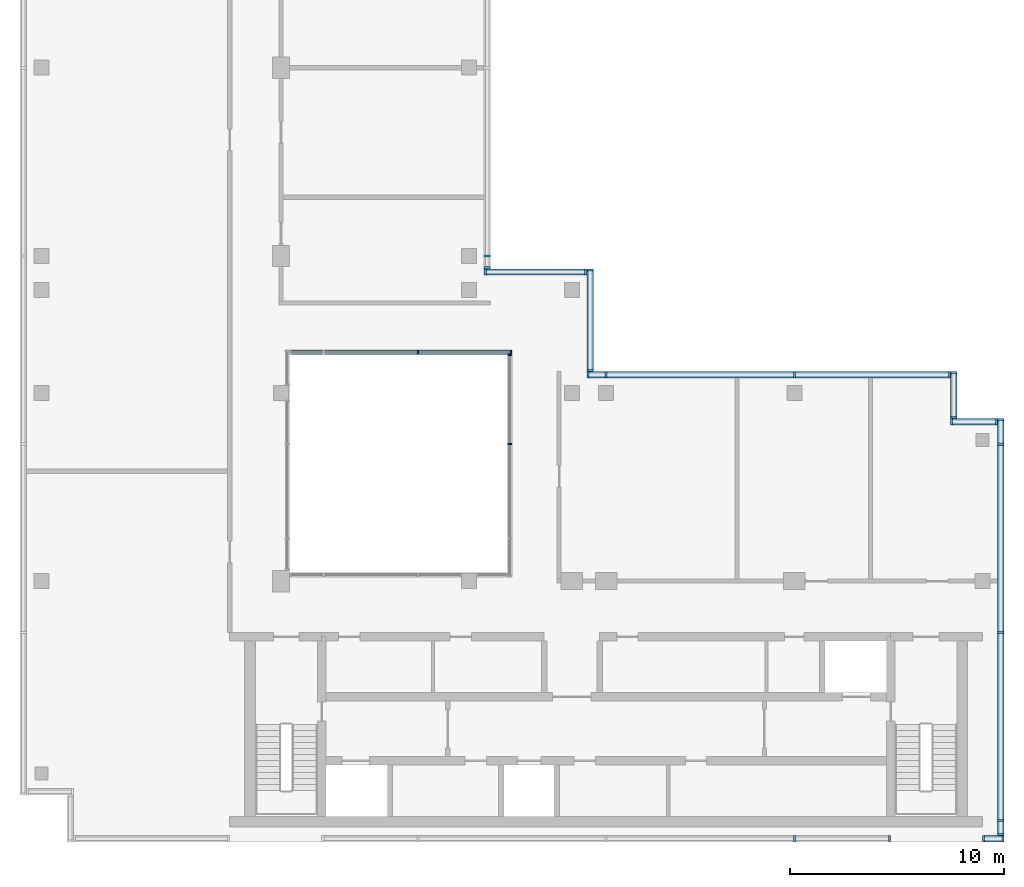
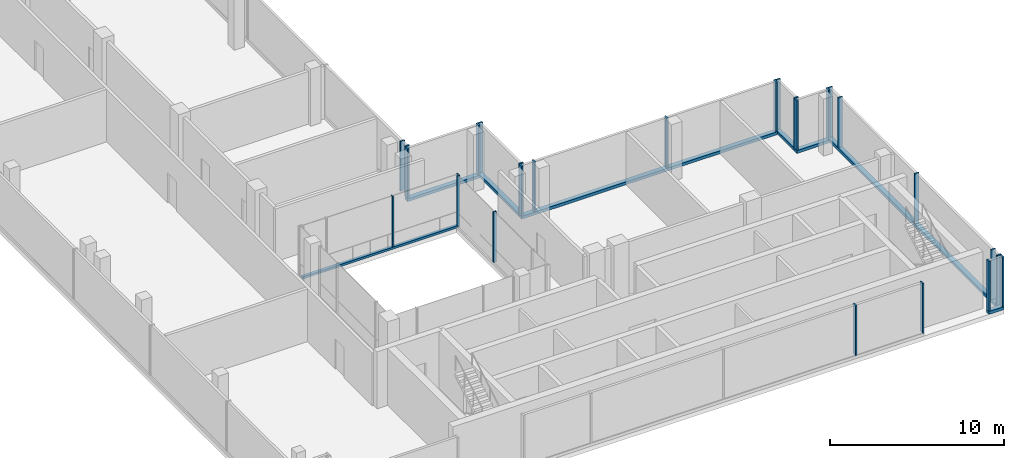
# One storey, part 5 of 11: 35 members, 11 elements without a shape of their own.
"""IFC4 building model written with IfcOpenShell, lengths in metres."""

from ifc_helpers import new_model, si_unit, direction, frame, origin, origin_2d, place, context, subcontext, project, spatial, rectangle, extrude, source, transform, mapped, material, material_profile, profile_set, type_object, element, aggregate, save


model = new_model("IFC4")

# Units and contexts
model_context = context("Model", 3, precision=1e-05, world=origin(), true_north=direction((0.0, 1.0)))
body_context = subcontext(model_context, "Body", "Model", "MODEL_VIEW")
ifc_project = project(units=[si_unit("LENGTHUNIT", "METRE"), si_unit("AREAUNIT", "SQUARE_METRE"), si_unit("VOLUMEUNIT", "CUBIC_METRE"), si_unit("PLANEANGLEUNIT", "RADIAN"), si_unit("MASSUNIT", "GRAM", prefix="KILO")], contexts=[model_context])

# Site, building, storey
site_placement = place(None, origin())
site = spatial("IfcSite", under=ifc_project, at=site_placement, CompositionType="ELEMENT")
building_placement = place(site_placement, origin())
building = spatial("IfcBuilding", under=site, at=building_placement, Name="Kemantara Hotel Tower", CompositionType="ELEMENT")
storey_placement = place(building_placement, frame((0.0, 0.0, 322.199951171875)))
storey = spatial("IfcBuildingStorey", under=building, at=storey_placement, Name="L81", CompositionType="ELEMENT", Elevation=322.199951171875)

# Curtain wall, member
ifc_material_1 = material(Name="Clear low-iron laminated glass 36 mm", Category="glass")
curtain_wall_type_1 = type_object("IfcCurtainWallType", Name="ATRIUM GLAZING WALL", PredefinedType="USERDEFINED", material=ifc_material_1)
curtain_wall_1_placement = place(storey_placement, origin())
curtain_wall_1 = element("IfcCurtainWall", 1, at=curtain_wall_1_placement, inside=storey, type_object=curtain_wall_type_1, Name="CW5 L81 ATR-R0-1", ObjectType="ATRIUM GLAZING WALL", PredefinedType="USERDEFINED")
ifc_material_2 = material(Name="Aluminium 6063-T6 bronze anodised", Category="aluminium")
ifc_material_profile_1 = material_profile(ifc_material_2, rectangle(XDim=0.199951171875, YDim=0.14990234375, at=origin_2d()), Name="ATRIUM GLAZING WALL TRANSOM")
ifc_profile_set_1 = profile_set([ifc_material_profile_1], Name="Aluminium 6063-T6 bronze anodised")
member_type_1 = type_object("IfcMemberType", Name="ATRIUM GLAZING WALL TRANSOM", PredefinedType="USERDEFINED", material=ifc_profile_set_1)
member_1_placement = place(storey_placement, frame((12.60009765625, 22.89990234375, 0.074951171875), z_axis=(1.0, 0.0, 0.0), x_axis=(0.0, 1.0, 0.0)))
member_1 = element("IfcMember", 2, at=member_1_placement, type_object=member_type_1, Name="CW5 sill transom ATR-R0-1", ObjectType="TRANSOM", PredefinedType="USERDEFINED", context=body_context, shape_type="SweptSolid", body=[
    extrude(rectangle(XDim=0.199951171875, YDim=0.14990234375, at=origin_2d()), origin(), (0.0, 0.0, 1.0), 10.39990234375),
])

curtain_wall_type_2 = type_object("IfcCurtainWallType", Name="CROWN LOUVRE SCREEN WALL", PredefinedType="USERDEFINED", material=ifc_material_2)
curtain_wall_2_placement = place(storey_placement, origin())
curtain_wall_2 = element("IfcCurtainWall", 3, at=curtain_wall_2_placement, inside=storey, type_object=curtain_wall_type_2, Name="CW7 L81 CRN-R08-3", ObjectType="CROWN LOUVRE SCREEN WALL", PredefinedType="USERDEFINED")
ifc_material_profile_2 = material_profile(ifc_material_2, rectangle(XDim=0.300048828125, YDim=0.199951171875, at=origin_2d()), Name="CROWN LOUVRE SCREEN WALL TRANSOM")
ifc_profile_set_2 = profile_set([ifc_material_profile_2], Name="Aluminium 6063-T6 bronze anodised")
member_type_2 = type_object("IfcMemberType", Name="CROWN LOUVRE SCREEN WALL TRANSOM", PredefinedType="USERDEFINED", material=ifc_profile_set_2)
member_2_placement = place(storey_placement, frame((45.0, 0.14990234375, 0.10009765625), z_axis=(1.0, 0.0, 0.0), x_axis=(0.0, 1.0, 0.0)))
member_2 = element("IfcMember", 4, at=member_2_placement, type_object=member_type_2, Name="CW7 sill transom CRN-R08-3", ObjectType="TRANSOM", PredefinedType="USERDEFINED", context=body_context, shape_type="SweptSolid", body=[
    extrude(rectangle(XDim=0.300048828125, YDim=0.199951171875, at=origin_2d()), origin(), (0.0, 0.0, 1.0), 1.0),
])

curtain_wall_3_placement = place(storey_placement, origin())
curtain_wall_3 = element("IfcCurtainWall", 5, at=curtain_wall_3_placement, inside=storey, type_object=curtain_wall_type_2, Name="CW7 L81 CRN-R09-1", ObjectType="CROWN LOUVRE SCREEN WALL", PredefinedType="USERDEFINED")
member_3_placement = place(storey_placement, frame((45.85009765625, 0.300048828125, 0.10009765625), z_axis=(0.0, 1.0, 0.0), x_axis=(-1.0, 0.0, 0.0)))
member_3 = element("IfcMember", 6, at=member_3_placement, type_object=member_type_2, Name="CW7 sill transom CRN-R09-1", ObjectType="TRANSOM", PredefinedType="USERDEFINED", context=body_context, shape_type="SweptSolid", body=[
    extrude(rectangle(XDim=0.300048828125, YDim=0.199951171875, at=origin_2d()), origin(), (0.0, 0.0, 1.0), 19.5),
])

curtain_wall_4_placement = place(storey_placement, origin())
curtain_wall_4 = element("IfcCurtainWall", 7, at=curtain_wall_4_placement, inside=storey, type_object=curtain_wall_type_2, Name="CW7 L81 CRN-R12-1", ObjectType="CROWN LOUVRE SCREEN WALL", PredefinedType="USERDEFINED")
member_4_placement = place(storey_placement, frame((43.5, 21.85009765625, 0.10009765625), z_axis=(-1.0, 0.0, 0.0), x_axis=(0.0, -1.0, 0.0)))
member_4 = element("IfcMember", 8, at=member_4_placement, type_object=member_type_2, Name="CW7 sill transom CRN-R12-1", ObjectType="TRANSOM", PredefinedType="USERDEFINED", context=body_context, shape_type="SweptSolid", body=[
    extrude(rectangle(XDim=0.300048828125, YDim=0.199951171875, at=origin_2d()), origin(), (0.0, 0.0, 1.0), 17.0),
])

curtain_wall_5_placement = place(storey_placement, origin())
curtain_wall_5 = element("IfcCurtainWall", 9, at=curtain_wall_5_placement, inside=storey, type_object=curtain_wall_type_2, Name="CW7 L81 CRN-R13-1", ObjectType="CROWN LOUVRE SCREEN WALL", PredefinedType="USERDEFINED")
member_5_placement = place(storey_placement, frame((26.64990234375, 22.0, 0.10009765625), z_axis=(0.0, 1.0, 0.0), x_axis=(-1.0, 0.0, 0.0)))
member_5 = element("IfcMember", 10, at=member_5_placement, type_object=member_type_2, Name="CW7 sill transom CRN-R13-1", ObjectType="TRANSOM", PredefinedType="USERDEFINED", context=body_context, shape_type="SweptSolid", body=[
    extrude(rectangle(XDim=0.300048828125, YDim=0.199951171875, at=origin_2d()), origin(), (0.0, 0.0, 1.0), 4.800048828125),
])

curtain_wall_6_placement = place(storey_placement, origin())
curtain_wall_6 = element("IfcCurtainWall", 11, at=curtain_wall_6_placement, inside=storey, type_object=curtain_wall_type_2, Name="CW7 L81 CRN-R14-1", ObjectType="CROWN LOUVRE SCREEN WALL", PredefinedType="USERDEFINED")
member_6_placement = place(storey_placement, frame((26.5, 26.64990234375, 0.10009765625), z_axis=(-1.0, 0.0, 0.0), x_axis=(0.0, -1.0, 0.0)))
member_6 = element("IfcMember", 12, at=member_6_placement, type_object=member_type_2, Name="CW7 sill transom CRN-R14-1", ObjectType="TRANSOM", PredefinedType="USERDEFINED", context=body_context, shape_type="SweptSolid", body=[
    extrude(rectangle(XDim=0.300048828125, YDim=0.199951171875, at=origin_2d()), origin(), (0.0, 0.0, 1.0), 4.800048828125),
])

curtain_wall_7_placement = place(storey_placement, origin())
curtain_wall_7 = element("IfcCurtainWall", 13, at=curtain_wall_7_placement, inside=storey, type_object=curtain_wall_type_2, Name="CW7 L81 CRN-R10-1", ObjectType="CROWN LOUVRE SCREEN WALL", PredefinedType="USERDEFINED")
member_7_placement = place(storey_placement, frame((45.699951171875, 19.64990234375, 0.10009765625), z_axis=(-1.0, 0.0, 0.0), x_axis=(0.0, -1.0, 0.0)))
member_7 = element("IfcMember", 14, at=member_7_placement, type_object=member_type_2, Name="CW7 sill transom CRN-R10-1", ObjectType="TRANSOM", PredefinedType="USERDEFINED", context=body_context, shape_type="SweptSolid", body=[
    extrude(rectangle(XDim=0.300048828125, YDim=0.199951171875, at=origin_2d()), origin(), (0.0, 0.0, 1.0), 2.199951171875),
])

curtain_wall_8_placement = place(storey_placement, origin())
curtain_wall_8 = element("IfcCurtainWall", 15, at=curtain_wall_8_placement, inside=storey, type_object=curtain_wall_type_2, Name="CW7 L81 CRN-R11-1", ObjectType="CROWN LOUVRE SCREEN WALL", PredefinedType="USERDEFINED")
member_8_placement = place(storey_placement, frame((43.64990234375, 19.800048828125, 0.10009765625), z_axis=(0.0, 1.0, 0.0), x_axis=(-1.0, 0.0, 0.0)))
member_8 = element("IfcMember", 16, at=member_8_placement, type_object=member_type_2, Name="CW7 sill transom CRN-R11-1", ObjectType="TRANSOM", PredefinedType="USERDEFINED", context=body_context, shape_type="SweptSolid", body=[
    extrude(rectangle(XDim=0.300048828125, YDim=0.199951171875, at=origin_2d()), origin(), (0.0, 0.0, 1.0), 2.199951171875),
])

# Curtain wall, members
curtain_wall_9_placement = place(storey_placement, origin())
curtain_wall_9 = element("IfcCurtainWall", 17, at=curtain_wall_9_placement, inside=storey, type_object=curtain_wall_type_2, Name="CW7 L81 CRN-R08-2", ObjectType="CROWN LOUVRE SCREEN WALL", PredefinedType="USERDEFINED")
ifc_material_profile_3 = material_profile(ifc_material_2, rectangle(XDim=0.300048828125, YDim=0.10009765625, at=origin_2d()), Name="CROWN LOUVRE SCREEN WALL MULLION")
ifc_profile_set_3 = profile_set([ifc_material_profile_3], Name="Aluminium 6063-T6 bronze anodised")
member_type_3 = type_object("IfcMemberType", Name="CROWN LOUVRE SCREEN WALL MULLION", PredefinedType="MULLION", material=ifc_profile_set_3)
shared_shape_1 = source(origin(), body_context, "Body", "SweptSolid", [
    extrude(rectangle(XDim=0.300048828125, YDim=0.10009765625, at=origin_2d()), origin(), (0.0, 0.0, 1.0), 3.5),
])
member_9_placement = place(storey_placement, frame((36.199951171875, 0.14990234375, 0.199951171875), z_axis=(0.0, 0.0, 1.0), x_axis=(0.0, 1.0, 0.0)))
member_9 = element("IfcMember", 18, at=member_9_placement, type_object=member_type_3, Name="CW7 mullion CRN-R08-2.4", PredefinedType="MULLION", context=body_context, shape_type="MappedRepresentation", body=[
    mapped(shared_shape_1, transform((0.0, 0.0, 0.0))),
])
member_10_placement = place(storey_placement, frame((40.64990234375, 0.14990234375, 0.199951171875), z_axis=(0.0, 0.0, 1.0), x_axis=(0.0, 1.0, 0.0)))
member_10 = element("IfcMember", 19, at=member_10_placement, type_object=member_type_3, Name="CW7 mullion CRN-R08-2.5", PredefinedType="MULLION", context=body_context, shape_type="MappedRepresentation", body=[
    mapped(shared_shape_1, transform((0.0, 0.0, 0.0))),
])
aggregate(curtain_wall_9, [member_9, member_10])

# Member
member_11_placement = place(storey_placement, frame((45.050048828125, 0.14990234375, 0.199951171875), z_axis=(0.0, 0.0, 1.0), x_axis=(0.0, 1.0, 0.0)))
member_11 = element("IfcMember", 20, at=member_11_placement, type_object=member_type_3, Name="CW7 mullion CRN-R08-3.1", PredefinedType="MULLION", context=body_context, shape_type="MappedRepresentation", body=[
    mapped(shared_shape_1, transform((0.0, 0.0, 0.0))),
])

member_12_placement = place(storey_placement, frame((45.949951171875, 0.14990234375, 0.199951171875), z_axis=(0.0, 0.0, 1.0), x_axis=(0.0, 1.0, 0.0)))
member_12 = element("IfcMember", 21, at=member_12_placement, type_object=member_type_3, Name="CW7 mullion CRN-R08-3.2", PredefinedType="MULLION", context=body_context, shape_type="MappedRepresentation", body=[
    mapped(shared_shape_1, transform((0.0, 0.0, 0.0))),
])

aggregate(curtain_wall_2, [member_2, member_11, member_12])

member_13_placement = place(storey_placement, frame((45.85009765625, 0.35009765625, 0.199951171875), z_axis=(0.0, 0.0, 1.0), x_axis=(-1.0, 0.0, 0.0)))
member_13 = element("IfcMember", 22, at=member_13_placement, type_object=member_type_3, Name="CW7 mullion CRN-R09-1.1", PredefinedType="MULLION", context=body_context, shape_type="MappedRepresentation", body=[
    mapped(shared_shape_1, transform((0.0, 0.0, 0.0))),
])

member_14_placement = place(storey_placement, frame((45.85009765625, 1.0, 0.199951171875), z_axis=(0.0, 0.0, 1.0), x_axis=(-1.0, 0.0, 0.0)))
member_14 = element("IfcMember", 23, at=member_14_placement, type_object=member_type_3, Name="CW7 mullion CRN-R09-1.2", PredefinedType="MULLION", context=body_context, shape_type="MappedRepresentation", body=[
    mapped(shared_shape_1, transform((0.0, 0.0, 0.0))),
])

member_15_placement = place(storey_placement, frame((45.85009765625, 9.800048828125, 0.199951171875), z_axis=(0.0, 0.0, 1.0), x_axis=(-1.0, 0.0, 0.0)))
member_15 = element("IfcMember", 24, at=member_15_placement, type_object=member_type_3, Name="CW7 mullion CRN-R09-1.3", PredefinedType="MULLION", context=body_context, shape_type="MappedRepresentation", body=[
    mapped(shared_shape_1, transform((0.0, 0.0, 0.0))),
])

member_16_placement = place(storey_placement, frame((45.85009765625, 18.60009765625, 0.199951171875), z_axis=(0.0, 0.0, 1.0), x_axis=(-1.0, 0.0, 0.0)))
member_16 = element("IfcMember", 25, at=member_16_placement, type_object=member_type_3, Name="CW7 mullion CRN-R09-1.4", PredefinedType="MULLION", context=body_context, shape_type="MappedRepresentation", body=[
    mapped(shared_shape_1, transform((0.0, 0.0, 0.0))),
])

member_17_placement = place(storey_placement, frame((45.85009765625, 19.75, 0.199951171875), z_axis=(0.0, 0.0, 1.0), x_axis=(-1.0, 0.0, 0.0)))
member_17 = element("IfcMember", 26, at=member_17_placement, type_object=member_type_3, Name="CW7 mullion CRN-R09-1.5", PredefinedType="MULLION", context=body_context, shape_type="MappedRepresentation", body=[
    mapped(shared_shape_1, transform((0.0, 0.0, 0.0))),
])

aggregate(curtain_wall_3, [member_3, member_13, member_14, member_15, member_16, member_17])

member_18_placement = place(storey_placement, frame((43.449951171875, 21.85009765625, 0.199951171875), z_axis=(0.0, 0.0, 1.0), x_axis=(0.0, -1.0, 0.0)))
member_18 = element("IfcMember", 27, at=member_18_placement, type_object=member_type_3, Name="CW7 mullion CRN-R12-1.1", PredefinedType="MULLION", context=body_context, shape_type="MappedRepresentation", body=[
    mapped(shared_shape_1, transform((0.0, 0.0, 0.0))),
])

member_19_placement = place(storey_placement, frame((36.199951171875, 21.85009765625, 0.199951171875), z_axis=(0.0, 0.0, 1.0), x_axis=(0.0, -1.0, 0.0)))
member_19 = element("IfcMember", 28, at=member_19_placement, type_object=member_type_3, Name="CW7 mullion CRN-R12-1.2", PredefinedType="MULLION", context=body_context, shape_type="MappedRepresentation", body=[
    mapped(shared_shape_1, transform((0.0, 0.0, 0.0))),
])

member_20_placement = place(storey_placement, frame((27.39990234375, 21.85009765625, 0.199951171875), z_axis=(0.0, 0.0, 1.0), x_axis=(0.0, -1.0, 0.0)))
member_20 = element("IfcMember", 29, at=member_20_placement, type_object=member_type_3, Name="CW7 mullion CRN-R12-1.3", PredefinedType="MULLION", context=body_context, shape_type="MappedRepresentation", body=[
    mapped(shared_shape_1, transform((0.0, 0.0, 0.0))),
])

member_21_placement = place(storey_placement, frame((26.550048828125, 21.85009765625, 0.199951171875), z_axis=(0.0, 0.0, 1.0), x_axis=(0.0, -1.0, 0.0)))
member_21 = element("IfcMember", 30, at=member_21_placement, type_object=member_type_3, Name="CW7 mullion CRN-R12-1.4", PredefinedType="MULLION", context=body_context, shape_type="MappedRepresentation", body=[
    mapped(shared_shape_1, transform((0.0, 0.0, 0.0))),
])

aggregate(curtain_wall_4, [member_4, member_18, member_19, member_20, member_21])

member_22_placement = place(storey_placement, frame((26.64990234375, 22.050048828125, 0.199951171875), z_axis=(0.0, 0.0, 1.0), x_axis=(-1.0, 0.0, 0.0)))
member_22 = element("IfcMember", 31, at=member_22_placement, type_object=member_type_3, Name="CW7 mullion CRN-R13-1.1", PredefinedType="MULLION", context=body_context, shape_type="MappedRepresentation", body=[
    mapped(shared_shape_1, transform((0.0, 0.0, 0.0))),
])

member_23_placement = place(storey_placement, frame((26.64990234375, 26.75, 0.199951171875), z_axis=(0.0, 0.0, 1.0), x_axis=(-1.0, 0.0, 0.0)))
member_23 = element("IfcMember", 32, at=member_23_placement, type_object=member_type_3, Name="CW7 mullion CRN-R13-1.2", PredefinedType="MULLION", context=body_context, shape_type="MappedRepresentation", body=[
    mapped(shared_shape_1, transform((0.0, 0.0, 0.0))),
])

aggregate(curtain_wall_5, [member_5, member_22, member_23])

member_24_placement = place(storey_placement, frame((26.449951171875, 26.64990234375, 0.199951171875), z_axis=(0.0, 0.0, 1.0), x_axis=(0.0, -1.0, 0.0)))
member_24 = element("IfcMember", 33, at=member_24_placement, type_object=member_type_3, Name="CW7 mullion CRN-R14-1.1", PredefinedType="MULLION", context=body_context, shape_type="MappedRepresentation", body=[
    mapped(shared_shape_1, transform((0.0, 0.0, 0.0))),
])

member_25_placement = place(storey_placement, frame((21.75, 26.64990234375, 0.199951171875), z_axis=(0.0, 0.0, 1.0), x_axis=(0.0, -1.0, 0.0)))
member_25 = element("IfcMember", 34, at=member_25_placement, type_object=member_type_3, Name="CW7 mullion CRN-R14-1.2", PredefinedType="MULLION", context=body_context, shape_type="MappedRepresentation", body=[
    mapped(shared_shape_1, transform((0.0, 0.0, 0.0))),
])

aggregate(curtain_wall_6, [member_6, member_24, member_25])

# Curtain wall, members
curtain_wall_10_placement = place(storey_placement, origin())
curtain_wall_10 = element("IfcCurtainWall", 35, at=curtain_wall_10_placement, inside=storey, type_object=curtain_wall_type_2, Name="CW7 L81 CRN-R15-1", ObjectType="CROWN LOUVRE SCREEN WALL", PredefinedType="USERDEFINED")
member_26_placement = place(storey_placement, frame((21.85009765625, 26.85009765625, 0.199951171875), z_axis=(0.0, 0.0, 1.0), x_axis=(-1.0, 0.0, 0.0)))
member_26 = element("IfcMember", 36, at=member_26_placement, type_object=member_type_3, Name="CW7 mullion CRN-R15-1.1", PredefinedType="MULLION", context=body_context, shape_type="MappedRepresentation", body=[
    mapped(shared_shape_1, transform((0.0, 0.0, 0.0))),
])
member_27_placement = place(storey_placement, frame((21.85009765625, 27.39990234375, 0.199951171875), z_axis=(0.0, 0.0, 1.0), x_axis=(-1.0, 0.0, 0.0)))
member_27 = element("IfcMember", 37, at=member_27_placement, type_object=member_type_3, Name="CW7 mullion CRN-R15-1.2", PredefinedType="MULLION", context=body_context, shape_type="MappedRepresentation", body=[
    mapped(shared_shape_1, transform((0.0, 0.0, 0.0))),
])
aggregate(curtain_wall_10, [member_26, member_27])

# Member
member_28_placement = place(storey_placement, frame((45.64990234375, 19.64990234375, 0.199951171875), z_axis=(0.0, 0.0, 1.0), x_axis=(0.0, -1.0, 0.0)))
member_28 = element("IfcMember", 38, at=member_28_placement, type_object=member_type_3, Name="CW7 mullion CRN-R10-1.1", PredefinedType="MULLION", context=body_context, shape_type="MappedRepresentation", body=[
    mapped(shared_shape_1, transform((0.0, 0.0, 0.0))),
])

member_29_placement = place(storey_placement, frame((43.550048828125, 19.64990234375, 0.199951171875), z_axis=(0.0, 0.0, 1.0), x_axis=(0.0, -1.0, 0.0)))
member_29 = element("IfcMember", 39, at=member_29_placement, type_object=member_type_3, Name="CW7 mullion CRN-R10-1.2", PredefinedType="MULLION", context=body_context, shape_type="MappedRepresentation", body=[
    mapped(shared_shape_1, transform((0.0, 0.0, 0.0))),
])

aggregate(curtain_wall_7, [member_7, member_28, member_29])

member_30_placement = place(storey_placement, frame((43.64990234375, 19.85009765625, 0.199951171875), z_axis=(0.0, 0.0, 1.0), x_axis=(-1.0, 0.0, 0.0)))
member_30 = element("IfcMember", 40, at=member_30_placement, type_object=member_type_3, Name="CW7 mullion CRN-R11-1.1", PredefinedType="MULLION", context=body_context, shape_type="MappedRepresentation", body=[
    mapped(shared_shape_1, transform((0.0, 0.0, 0.0))),
])

member_31_placement = place(storey_placement, frame((43.64990234375, 21.949951171875, 0.199951171875), z_axis=(0.0, 0.0, 1.0), x_axis=(-1.0, 0.0, 0.0)))
member_31 = element("IfcMember", 41, at=member_31_placement, type_object=member_type_3, Name="CW7 mullion CRN-R11-1.2", PredefinedType="MULLION", context=body_context, shape_type="MappedRepresentation", body=[
    mapped(shared_shape_1, transform((0.0, 0.0, 0.0))),
])

aggregate(curtain_wall_8, [member_8, member_30, member_31])

ifc_material_profile_4 = material_profile(ifc_material_2, rectangle(XDim=0.199951171875, YDim=0.074951171875, at=origin_2d()), Name="ATRIUM GLAZING WALL MULLION")
ifc_profile_set_4 = profile_set([ifc_material_profile_4], Name="Aluminium 6063-T6 bronze anodised")
member_type_4 = type_object("IfcMemberType", Name="ATRIUM GLAZING WALL MULLION", PredefinedType="MULLION", material=ifc_profile_set_4)
shared_shape_2 = source(origin(), body_context, "Body", "SweptSolid", [
    extrude(rectangle(XDim=0.199951171875, YDim=0.074951171875, at=origin_2d()), origin(), (0.0, 0.0, 1.0), 3.5498046875),
])
member_32_placement = place(storey_placement, frame((18.60009765625, 22.89990234375, 0.150146484375), z_axis=(0.0, 0.0, 1.0), x_axis=(0.0, 1.0, 0.0)))
member_32 = element("IfcMember", 42, at=member_32_placement, type_object=member_type_4, Name="CW5 mullion ATR-R0-1.3", PredefinedType="MULLION", context=body_context, shape_type="MappedRepresentation", body=[
    mapped(shared_shape_2, transform((0.0, 0.0, 0.0))),
])

member_33_placement = place(storey_placement, frame((22.96240234375, 22.89990234375, 0.150146484375), z_axis=(0.0, 0.0, 1.0), x_axis=(0.0, 1.0, 0.0)))
member_33 = element("IfcMember", 43, at=member_33_placement, type_object=member_type_4, Name="CW5 mullion ATR-R0-1.4", PredefinedType="MULLION", context=body_context, shape_type="MappedRepresentation", body=[
    mapped(shared_shape_2, transform((0.0, 0.0, 0.0))),
])

aggregate(curtain_wall_1, [member_1, member_32, member_33])

# Curtain wall, members
curtain_wall_11_placement = place(storey_placement, origin())
curtain_wall_11 = element("IfcCurtainWall", 44, at=curtain_wall_11_placement, inside=storey, type_object=curtain_wall_type_1, Name="CW5 L81 ATR-R1-1", ObjectType="ATRIUM GLAZING WALL", PredefinedType="USERDEFINED")
member_34_placement = place(storey_placement, frame((22.89990234375, 22.762451171875, 0.150146484375), z_axis=(0.0, 0.0, 1.0), x_axis=(1.0, 0.0, 0.0)))
member_34 = element("IfcMember", 45, at=member_34_placement, type_object=member_type_4, Name="CW5 mullion ATR-R1-1.1", PredefinedType="MULLION", context=body_context, shape_type="MappedRepresentation", body=[
    mapped(shared_shape_2, transform((0.0, 0.0, 0.0))),
])
member_35_placement = place(storey_placement, frame((22.89990234375, 18.60009765625, 0.150146484375), z_axis=(0.0, 0.0, 1.0), x_axis=(1.0, 0.0, 0.0)))
member_35 = element("IfcMember", 46, at=member_35_placement, type_object=member_type_4, Name="CW5 mullion ATR-R1-1.2", PredefinedType="MULLION", context=body_context, shape_type="MappedRepresentation", body=[
    mapped(shared_shape_2, transform((0.0, 0.0, 0.0))),
])
aggregate(curtain_wall_11, [member_34, member_35])

save(model, "model.ifc")
